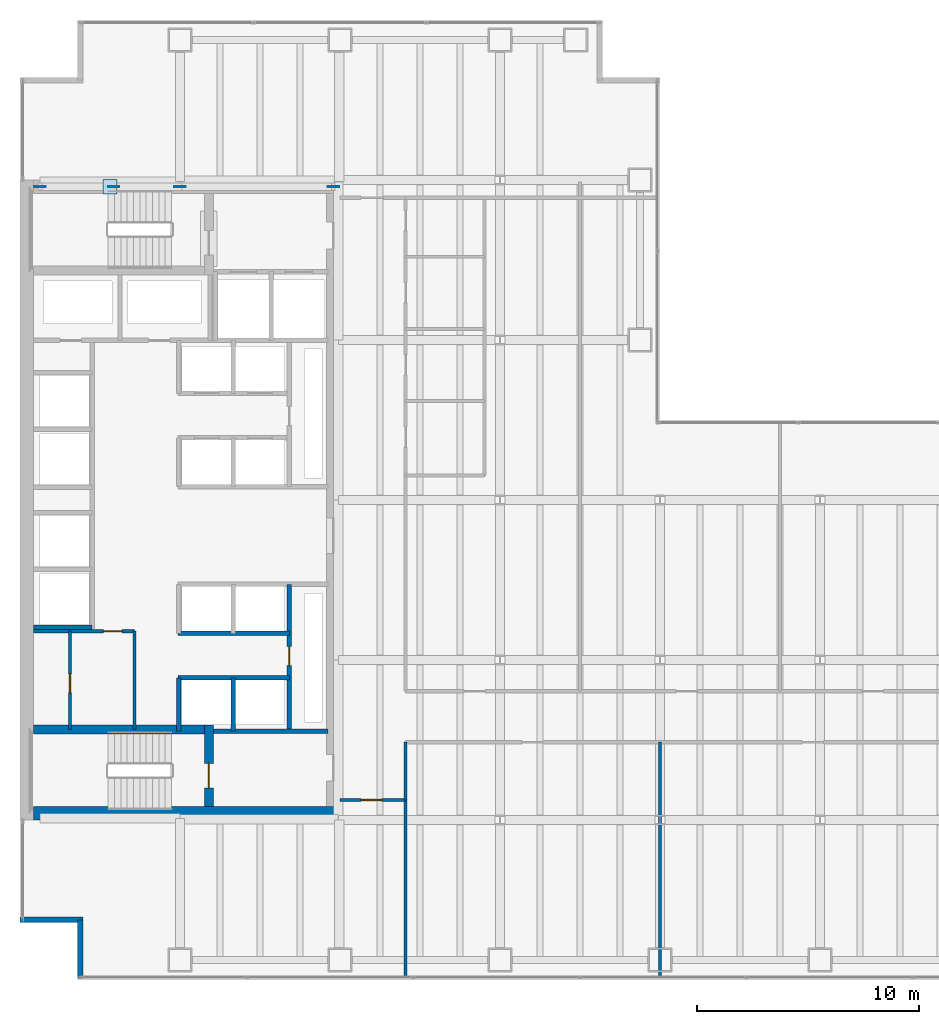
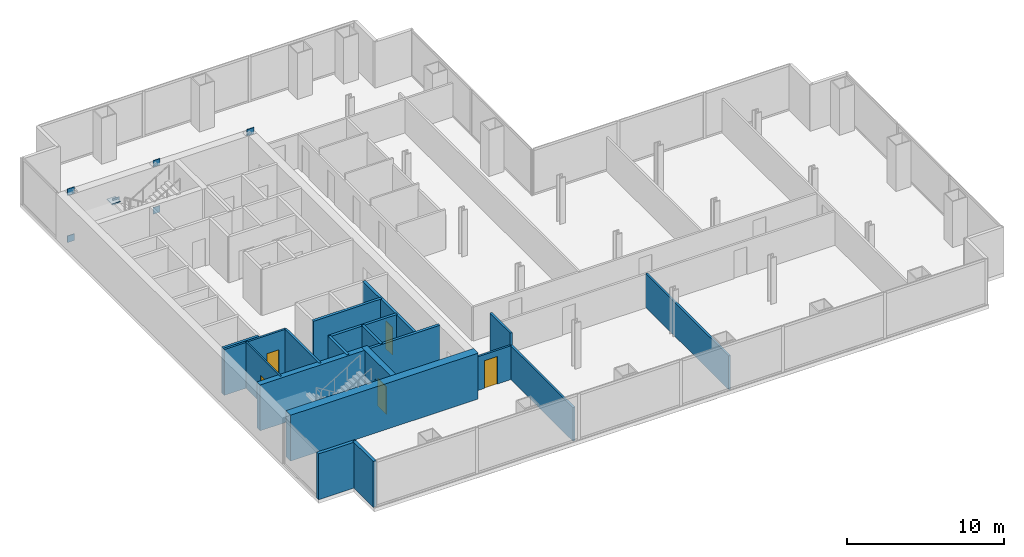
# One storey, part 20 of 23: 19 walls, 7 plates, 5 doors, 5 openings.
"""IFC4 building model written with IfcOpenShell, lengths in metres."""

import ifcopenshell
import ifcopenshell.guid

model = None  # the IFC model being written
_history = None  # IfcOwnerHistory: only IFC2X3 demands one
_inside = {}  # id of a spatial element -> (the spatial element, [elements in it])
_under = {}  # id of a project, library or spatial element -> (it, [spatial elements below it])
_declared = {}  # id of a project -> (the project, [libraries it declares])
_typed = {}  # id of a type object -> (the type object, [elements of that type])
_made_of = {}  # id of a material, layer set ... -> (it, [elements and type objects made of it])


def new_model(schema):
    """Start an empty IFC model of exactly this schema.

    Asked for "IFC4X3", IfcOpenShell would pick the latest addendum, in which some entities
    have other attributes; the version numbers below select the first issue.
    IFC2X3 requires an IfcOwnerHistory on every rooted entity: one is made here for all.
    """
    global model, _history
    if schema == "IFC4X3":
        model = ifcopenshell.file(schema_version=(4, 3, 0, 0))
    else:
        model = ifcopenshell.file(schema=schema)
    _inside.clear()
    _under.clear()
    _declared.clear()
    _typed.clear()
    _made_of.clear()
    _history = None
    if model.schema == "IFC2X3":
        org = make("IfcOrganization", Name="unknown")
        user = make(
            "IfcPersonAndOrganization",
            ThePerson=make("IfcPerson", FamilyName="unknown"),
            TheOrganization=org,
        )
        app = make(
            "IfcApplication",
            ApplicationDeveloper=org,
            Version="unknown",
            ApplicationFullName="unknown",
            ApplicationIdentifier="unknown",
        )
        _history = make(
            "IfcOwnerHistory",
            OwningUser=user,
            OwningApplication=app,
            ChangeAction="ADDED",
            CreationDate=0,
        )
    return model


def make(cls, **values):
    """One entity of the class cls with the attributes given. An attribute that is None is left unset."""
    return model.create_entity(
        cls, **{name: value for name, value in values.items() if value is not None}
    )


def rooted(cls, **values):
    """An entity with a GlobalId (a new one), such as an element, a storey or a relation."""
    return make(cls, GlobalId=ifcopenshell.guid.new(), OwnerHistory=_history, **values)


def si_unit(unit_type, name, prefix=None):
    """IfcSIUnit, for example si_unit("LENGTHUNIT", "METRE", prefix="MILLI")."""
    return make("IfcSIUnit", UnitType=unit_type, Prefix=prefix, Name=name)


def assignment(units):
    """IfcUnitAssignment: the units of a project."""
    return None if units is None else make("IfcUnitAssignment", Units=units)


def point(xyz):
    """IfcCartesianPoint."""
    return None if xyz is None else make("IfcCartesianPoint", Coordinates=xyz)


def direction(xyz):
    """IfcDirection."""
    return None if xyz is None else make("IfcDirection", DirectionRatios=xyz)


def frame(location, z_axis=None, x_axis=None):
    """IfcAxis2Placement3D, a coordinate frame: its origin and axes. An axis left out is left unset."""
    return make(
        "IfcAxis2Placement3D",
        Location=point(location),
        Axis=direction(z_axis),
        RefDirection=direction(x_axis),
    )


def frame_2d(location, x_axis=None):
    """IfcAxis2Placement2D, a coordinate frame in the plane: its origin and x axis."""
    return make(
        "IfcAxis2Placement2D", Location=point(location), RefDirection=direction(x_axis)
    )


def origin():
    """The frame at (0, 0, 0) with its axes left unset."""
    return frame((0.0, 0.0, 0.0))


def origin_2d():
    """The frame at (0, 0) in the plane with its x axis left unset."""
    return frame_2d((0.0, 0.0))


def place(relative_to, where):
    """IfcLocalPlacement: puts the frame where relative to a parent placement (None: the world)."""
    return make(
        "IfcLocalPlacement", PlacementRelTo=relative_to, RelativePlacement=where
    )


def context(
    kind, dimensions, precision=None, world=None, true_north=None, identifier=None
):
    """IfcGeometricRepresentationContext, for example the 3D "Model" context."""
    return make(
        "IfcGeometricRepresentationContext",
        ContextIdentifier=identifier,
        ContextType=kind,
        CoordinateSpaceDimension=dimensions,
        Precision=precision,
        WorldCoordinateSystem=world,
        TrueNorth=true_north,
    )


def subcontext(parent, identifier, kind, view, scale=None):
    """IfcGeometricRepresentationSubContext, for example "Body" below "Model"."""
    return make(
        "IfcGeometricRepresentationSubContext",
        ContextIdentifier=identifier,
        ContextType=kind,
        ParentContext=parent,
        TargetScale=scale,
        TargetView=view,
    )


def project(units=None, contexts=None):
    """IfcProject with its units and contexts."""
    return rooted(
        "IfcProject",
        Name="project",
        RepresentationContexts=contexts,
        UnitsInContext=assignment(units),
    )


def spatial(cls, under=None, at=None, **own):
    """A site, building, storey or space (cls), placed at a placement, below another one or the project."""
    s = rooted(cls, ObjectPlacement=at, **own)
    if under is not None:
        _under.setdefault(under.id(), (under, []))[1].append(s)
    return s


def profile(cls, at=None, kind="AREA", **sizes):
    """A parametric profile (cls). Its sizes go by their IFC names, for example OverallWidth=200.0."""
    return make(cls, ProfileType=kind, Position=at, **sizes)


def rectangle(**sizes):
    """IfcRectangleProfileDef."""
    return profile("IfcRectangleProfileDef", **sizes)


def extrude(swept, where, along, depth):
    """IfcExtrudedAreaSolid: the profile swept, set in the frame where, extruded along a direction by depth."""
    return make(
        "IfcExtrudedAreaSolid",
        SweptArea=swept,
        Position=where,
        ExtrudedDirection=direction(along),
        Depth=depth,
    )


def shape(context_of_items, identifier, shape_type, items):
    """IfcShapeRepresentation: the items that make up one representation, for example the "Body"."""
    return make(
        "IfcShapeRepresentation",
        ContextOfItems=context_of_items,
        RepresentationIdentifier=identifier,
        RepresentationType=shape_type,
        Items=items,
    )


def material(Name=None, Category=None):
    """IfcMaterial."""
    return make("IfcMaterial", Name=Name, Category=Category)


def layer(
    of_material, thickness, ventilated=None, Name=None, Category=None, Priority=None
):
    """IfcMaterialLayer: one layer of a wall or slab, of a material (None: an air gap)."""
    return make(
        "IfcMaterialLayer",
        Material=of_material,
        LayerThickness=thickness,
        IsVentilated=ventilated,
        Name=Name,
        Category=Category,
        Priority=Priority,
    )


def layer_set(layers, Name=None):
    """IfcMaterialLayerSet."""
    return make("IfcMaterialLayerSet", MaterialLayers=layers, LayerSetName=Name)


def made_of(thing, what):
    """Note that an element or type object is made of a material, layer set ...; save() writes the relation."""
    if what is not None:
        _made_of.setdefault(what.id(), (what, []))[1].append(thing)
    return thing


def type_object(cls, material=None, **own):
    """A type object (cls), such as IfcWallType, which elements share."""
    return made_of(rooted(cls, **own), material)


def element(
    cls,
    number,
    at=None,
    inside=None,
    cuts=None,
    type_object=None,
    material=None,
    context=None,
    identifier="Body",
    shape_type=None,
    held_by="IfcProductDefinitionShape",
    body=None,
    shapes=None,
    **own,
):
    """One element of the class cls, such as IfcWall. Its Tag is "e" and its number.

    at: its placement. inside: the storey or other place that contains it. cuts: it is an
    opening in that element (IfcRelVoidsElement). A single representation is given by context,
    identifier, shape_type and body (its items); several are given by shapes. held_by: the class
    of the entity that holds the representations. save() writes the other relations.
    """
    e = rooted(cls, Tag="e%d" % number, ObjectPlacement=at, **own)
    if body is not None:
        shapes = [shape(context, identifier, shape_type, body)]
    if shapes is not None:
        e.Representation = make(held_by, Representations=shapes)
    if inside is not None:
        _inside.setdefault(inside.id(), (inside, []))[1].append(e)
    if cuts is not None:
        rooted(
            "IfcRelVoidsElement", RelatingBuildingElement=cuts, RelatedOpeningElement=e
        )
    if type_object is not None:
        _typed.setdefault(type_object.id(), (type_object, []))[1].append(e)
    return made_of(e, material)


def fill(opening, filler):
    """IfcRelFillsElement: the door or window that sits in an opening."""
    return rooted(
        "IfcRelFillsElement",
        RelatingOpeningElement=opening,
        RelatedBuildingElement=filler,
    )


def aggregate(whole, parts):
    """IfcRelAggregates: a whole, such as a stair, and the parts it consists of."""
    return rooted("IfcRelAggregates", RelatingObject=whole, RelatedObjects=parts)


def save(model, path):
    """Write the relations noted so far, then the file.

    IfcRelAggregates (storeys below a building ...), IfcRelContainedInSpatialStructure (elements
    in a storey), IfcRelDefinesByType, IfcRelAssociatesMaterial and IfcRelDeclares: one each for
    every whole, place, type object, material and project.
    """
    for whole, parts in _under.values():
        aggregate(whole, parts)
    for where, things in _inside.values():
        rooted(
            "IfcRelContainedInSpatialStructure",
            RelatedElements=things,
            RelatingStructure=where,
        )
    for kind, things in _typed.values():
        rooted("IfcRelDefinesByType", RelatedObjects=things, RelatingType=kind)
    for what, things in _made_of.values():
        rooted("IfcRelAssociatesMaterial", RelatedObjects=things, RelatingMaterial=what)
    for by, libraries in _declared.values():
        rooted("IfcRelDeclares", RelatingContext=by, RelatedDefinitions=libraries)
    model.write(path)


model = new_model("IFC4")

# Units and contexts
model_context = context("Model", 3, precision=1e-05, world=origin(), true_north=direction((0.0, 1.0)))
body_context = subcontext(model_context, "Body", "Model", "MODEL_VIEW")
ifc_project = project(units=[si_unit("LENGTHUNIT", "METRE"), si_unit("AREAUNIT", "SQUARE_METRE"), si_unit("VOLUMEUNIT", "CUBIC_METRE"), si_unit("PLANEANGLEUNIT", "RADIAN"), si_unit("MASSUNIT", "GRAM", prefix="KILO")], contexts=[model_context])

# Site, building, storey
site_placement = place(None, origin())
site = spatial("IfcSite", under=ifc_project, at=site_placement, CompositionType="ELEMENT")
building_placement = place(site_placement, origin())
building = spatial("IfcBuilding", under=site, at=building_placement, Name="Cobrela Telecom Tower", CompositionType="ELEMENT")
storey_placement = place(building_placement, frame((0.0, 0.0, 38.85009765625)))
storey = spatial("IfcBuildingStorey", under=building, at=storey_placement, Name="L09", CompositionType="ELEMENT", Elevation=38.85009765625)

# Plates
ifc_material_1 = material(Name="Steel ASTM A572 Grade 50", Category="steel")
ifc_layer_1 = layer(ifc_material_1, 0.0419921875)
ifc_layer_set_1 = layer_set([ifc_layer_1], Name="Steel ASTM A572 Grade 50")
plate_type = type_object("IfcPlateType", Name="PLT-NODE-ND1", PredefinedType="USERDEFINED", material=ifc_layer_set_1)
for number, where, z_axis, x_axis, name in (
    (1, (0.89990234375, 35.699951171875, -0.294921875), (0.0, 0.0, 1.0), (1.0, 0.0, 0.0), "Steel node plate PLT-MBR-EXO-L09-N1-A-0"),
    (2, (7.199951171875, 35.699951171875, 3.35498046875), (0.0, 0.0, 1.0), (1.0, 0.0, 0.0), "Steel node plate PLT-MBR-EXO-L09-N1-A-1"),
    (3, (7.199951171875, 35.699951171875, -0.294921875), (0.0, 0.0, 1.0), (-1.0, 0.0, 0.0), "Steel node plate PLT-MBR-EXO-L09-N1-B1-0"),
    (4, (4.219482421875, 35.699951171875, 1.431640625), (0.0, 0.0, 1.0), (-1.0, 0.0, 0.0), "Steel node plate PLT-MBR-EXO-L09-N1-B1-1"),
    (5, (0.89990234375, 35.699951171875, 3.35498046875), (0.0, 0.0, 1.0), (-1.0, 0.0, 0.0), "Steel node plate PLT-MBR-EXO-L09-N1-B2-1"),
):
    element("IfcPlate", number, at=place(storey_placement, frame(where, z_axis=z_axis, x_axis=x_axis)), inside=storey, type_object=plate_type, Name=name, ObjectType="GUSSET PLATE", PredefinedType="USERDEFINED", context=body_context, shape_type="SweptSolid", body=[
        extrude(rectangle(XDim=0.510009765625, YDim=0.044921875, at=origin_2d()), origin(), (0.0, 0.0, 1.0), 0.510009765625),
    ])
plate_1_placement = place(storey_placement, frame((4.050048828125, 35.699951171875, 1.762451171875), z_axis=(0.0, 0.0, 1.0), x_axis=(1.0, 0.0, 0.0)))
element("IfcPlate", 6, at=plate_1_placement, inside=storey, type_object=plate_type, Name="L09 Core Flange Steel X-Brace Central X-Crossing Gusset Plate", ObjectType="GUSSET PLATE", PredefinedType="USERDEFINED", context=body_context, shape_type="SweptSolid", body=[
    extrude(rectangle(XDim=0.64990234375, YDim=0.64990234375, at=origin_2d()), origin(), (0.0, 0.0, 1.0), 0.044921875),
])
plate_2_placement = place(storey_placement, frame((14.10009765625, 35.699951171875, 3.35498046875), z_axis=(0.0, 0.0, 1.0), x_axis=(1.0, 0.0, 0.0)))
element("IfcPlate", 7, at=plate_2_placement, inside=storey, type_object=plate_type, Name="Steel node plate PLT-MBR-EXO-L09-N2-1", ObjectType="GUSSET PLATE", PredefinedType="USERDEFINED", context=body_context, shape_type="SweptSolid", body=[
    extrude(rectangle(XDim=0.510009765625, YDim=0.044921875, at=origin_2d()), origin(), (0.0, 0.0, 1.0), 0.510009765625),
])

# Walls
ifc_material_2 = material(Name="Concrete C50/60", Category="concrete")
ifc_layer_2 = layer(ifc_material_2, 0.60009765625)
ifc_layer_set_2 = layer_set([ifc_layer_2], Name="Concrete C50/60")
wall_type_1 = type_object("IfcWallType", Name="WALL-CORE-C50-600", PredefinedType="SHEAR", material=ifc_layer_set_2)
wall_1_placement = place(storey_placement, frame((0.60009765625, 7.5, 0.0), z_axis=(0.0, 0.0, 1.0), x_axis=(1.0, 0.0, 0.0)))
element("IfcWall", 8, at=wall_1_placement, inside=storey, type_object=wall_type_1, Name="L09 South Core Shear Wall", PredefinedType="SHEAR", context=body_context, shape_type="SweptSolid", body=[
    extrude(rectangle(XDim=13.7998046875, YDim=0.60009765625, at=frame_2d((6.89990234375, 0.0))), origin(), (0.0, 0.0, 1.0), 3.56982421875),
])
ifc_material_3 = material(Name="Concrete C40/50", Category="concrete")
ifc_layer_3 = layer(ifc_material_3, 0.239990234375)
ifc_layer_set_3 = layer_set([ifc_layer_3], Name="Concrete C40/50")
wall_type_2 = type_object("IfcWallType", Name="WALL-EXT-300", PredefinedType="STANDARD", material=ifc_layer_set_3)
wall_2_placement = place(storey_placement, frame((2.7099609375, 0.1201171875, 0.0), z_axis=(0.0, 0.0, 1.0), x_axis=(0.0, 1.0, 0.0)))
element("IfcWall", 9, at=wall_2_placement, inside=storey, type_object=wall_type_2, Name="L09 Insulated Facade Wall 01", PredefinedType="STANDARD", context=body_context, shape_type="SweptSolid", body=[
    extrude(rectangle(XDim=2.58984375, YDim=0.239990234375, at=frame_2d((1.294921875, 0.0))), origin(), (0.0, 0.0, 1.0), 3.56982421875),
])
wall_3_placement = place(storey_placement, frame((2.830078125, 2.7099609375, 0.0), z_axis=(0.0, 0.0, 1.0), x_axis=(-1.0, 0.0, 0.0)))
element("IfcWall", 10, at=wall_3_placement, inside=storey, type_object=wall_type_2, Name="L09 Insulated Facade Wall 02", PredefinedType="STANDARD", context=body_context, shape_type="SweptSolid", body=[
    extrude(rectangle(XDim=2.830078125, YDim=0.239990234375, at=frame_2d((1.4150390625, 0.0))), origin(), (0.0, 0.0, 1.0), 3.56982421875),
])

# Wall, opening, door
ifc_material_4 = material(Name="Fire-Rated Gypsum Plasterboard")
ifc_layer_4 = layer(ifc_material_4, 0.125)
ifc_layer_set_4 = layer_set([ifc_layer_4], Name="Fire-Rated Gypsum Plasterboard")
wall_type_3 = type_object("IfcWallType", Name="WALL-PART-125", PredefinedType="PARTITIONING", material=ifc_layer_set_4)
wall_4_placement = place(storey_placement, frame((2.25, 11.280029296875, 0.0), z_axis=(0.0, 0.0, 1.0), x_axis=(0.0, 1.0, 0.0)))
wall_4 = element("IfcWall", 11, at=wall_4_placement, inside=storey, type_object=wall_type_3, Name="L09 Interior Partition CW-FK0-V", PredefinedType="PARTITIONING", context=body_context, shape_type="SweptSolid", body=[
    extrude(rectangle(XDim=4.419921875, YDim=0.125, at=frame_2d((2.2099609375, 0.0))), origin(), (0.0, 0.0, 1.0), 3.56982421875),
])
opening_1_placement = place(wall_4_placement, frame((1.64990234375, 0.0, 0.0)))
opening_1 = element("IfcOpeningElement", 12, at=opening_1_placement, cuts=wall_4, Name="Opening DR-11", PredefinedType="OPENING", context=body_context, shape_type="SweptSolid", body=[
    extrude(rectangle(XDim=0.85009765625, YDim=2.14990234375, at=frame_2d((0.425048828125, 1.074951171875))), frame((0.0, 0.074462890625, 0.0), z_axis=(0.0, -1.0, 0.0), x_axis=(1.0, 0.0, 0.0)), (0.0, 0.0, 1.0), 0.14892578125),
])
ifc_material_5 = material(Name="Solid Engineered Oak Timber", Category="wood")
door_type_1 = type_object("IfcDoorType", Name="DOOR-INT-850", OperationType="SINGLE_SWING_LEFT", PredefinedType="DOOR", material=ifc_material_5)
door_1_placement = place(opening_1_placement, origin())
door_1 = element("IfcDoor", 13, at=door_1_placement, inside=storey, type_object=door_type_1, Name="L09 Door DR-11", OperationType="SINGLE_SWING_LEFT", OverallHeight=2.14990234375, OverallWidth=0.85009765625, PredefinedType="DOOR", context=body_context, shape_type="SweptSolid", body=[
    extrude(rectangle(XDim=0.85009765625, YDim=2.14990234375, at=frame_2d((0.425048828125, 1.074951171875))), frame((0.0, 0.02490234375, 0.0), z_axis=(0.0, -1.0, 0.0), x_axis=(1.0, 0.0, 0.0)), (0.0, 0.0, 1.0), 0.050048828125),
])
fill(opening_1, door_1)

ifc_layer_5 = layer(ifc_material_4, 0.14990234375)
ifc_layer_set_5 = layer_set([ifc_layer_5], Name="Fire-Rated Gypsum Plasterboard")
wall_type_4 = type_object("IfcWallType", Name="WALL-PART-150", PredefinedType="PARTITIONING", material=ifc_layer_set_5)
wall_5_placement = place(storey_placement, frame((0.60009765625, 15.699951171875, 0.0), z_axis=(0.0, 0.0, 1.0), x_axis=(1.0, 0.0, 0.0)))
wall_5 = element("IfcWall", 14, at=wall_5_placement, inside=storey, type_object=wall_type_4, Name="L09 Interior Partition CW-FLEX-N", PredefinedType="PARTITIONING", context=body_context, shape_type="SweptSolid", body=[
    extrude(rectangle(XDim=4.5498046875, YDim=0.14990234375, at=frame_2d((2.27490234375, 0.0))), origin(), (0.0, 0.0, 1.0), 3.56982421875),
])
opening_2_placement = place(wall_5_placement, frame((3.14990234375, 0.0, 0.0)))
opening_2 = element("IfcOpeningElement", 15, at=opening_2_placement, cuts=wall_5, Name="Opening DR-11", PredefinedType="OPENING", context=body_context, shape_type="SweptSolid", body=[
    extrude(rectangle(XDim=0.85009765625, YDim=2.14990234375, at=frame_2d((0.425048828125, 1.074951171875))), frame((0.0, 0.0869140625, 0.0), z_axis=(0.0, -1.0, 0.0), x_axis=(1.0, 0.0, 0.0)), (0.0, 0.0, 1.0), 0.173828125),
])
door_2_placement = place(opening_2_placement, origin())
door_2 = element("IfcDoor", 16, at=door_2_placement, inside=storey, type_object=door_type_1, Name="L09 Door DR-11", OperationType="SINGLE_SWING_RIGHT", OverallHeight=2.14990234375, OverallWidth=0.85009765625, PredefinedType="DOOR", context=body_context, shape_type="SweptSolid", body=[
    extrude(rectangle(XDim=0.85009765625, YDim=2.14990234375, at=frame_2d((0.425048828125, 1.074951171875))), frame((0.0, 0.02490234375, 0.0), z_axis=(0.0, -1.0, 0.0), x_axis=(1.0, 0.0, 0.0)), (0.0, 0.0, 1.0), 0.050048828125),
])
fill(opening_2, door_2)

# Wall
wall_6_placement = place(storey_placement, frame((5.14990234375, 11.280029296875, 0.0), z_axis=(0.0, 0.0, 1.0), x_axis=(0.0, 1.0, 0.0)))
element("IfcWall", 17, at=wall_6_placement, inside=storey, type_object=wall_type_4, Name="L09 Interior Partition CW-FLEX-E", PredefinedType="PARTITIONING", context=body_context, shape_type="SweptSolid", body=[
    extrude(rectangle(XDim=4.419921875, YDim=0.14990234375, at=frame_2d((2.2099609375, 0.0))), origin(), (0.0, 0.0, 1.0), 3.56982421875),
])

# Wall, opening, door
wall_7_placement = place(storey_placement, frame((14.39990234375, 8.10009765625, 0.0), z_axis=(0.0, 0.0, 1.0), x_axis=(1.0, 0.0, 0.0)))
wall_7 = element("IfcWall", 18, at=wall_7_placement, inside=storey, type_object=wall_type_4, Name="L09 Interior Partition W-C-S0", PredefinedType="PARTITIONING", context=body_context, shape_type="SweptSolid", body=[
    extrude(rectangle(XDim=2.9501953125, YDim=0.14990234375, at=frame_2d((1.47509765625, 0.0))), origin(), (0.0, 0.0, 1.0), 2.6279296875),
])
opening_3_placement = place(wall_7_placement, frame((0.949951171875, 0.0, 0.0)))
opening_3 = element("IfcOpeningElement", 19, at=opening_3_placement, cuts=wall_7, Name="Opening DR-67", PredefinedType="OPENING", context=body_context, shape_type="SweptSolid", body=[
    extrude(rectangle(XDim=0.949951171875, YDim=2.14990234375, at=frame_2d((0.47509765625, 1.074951171875))), frame((0.0, 0.0869140625, 0.0), z_axis=(0.0, -1.0, 0.0), x_axis=(1.0, 0.0, 0.0)), (0.0, 0.0, 1.0), 0.173828125),
])
door_type_2 = type_object("IfcDoorType", Name="DOOR-INT-950", OperationType="SINGLE_SWING_LEFT", PredefinedType="DOOR", material=ifc_material_5)
door_3_placement = place(opening_3_placement, origin())
door_3 = element("IfcDoor", 20, at=door_3_placement, inside=storey, type_object=door_type_2, Name="L09 Door DR-67", OperationType="SINGLE_SWING_RIGHT", OverallHeight=2.14990234375, OverallWidth=0.949951171875, PredefinedType="DOOR", context=body_context, shape_type="SweptSolid", body=[
    extrude(rectangle(XDim=0.949951171875, YDim=2.14990234375, at=frame_2d((0.47509765625, 1.074951171875))), frame((0.0, 0.02490234375, 0.0), z_axis=(0.0, -1.0, 0.0), x_axis=(1.0, 0.0, 0.0)), (0.0, 0.0, 1.0), 0.050048828125),
])
fill(opening_3, door_3)

# Walls
wall_8_placement = place(storey_placement, frame((17.35009765625, 8.10009765625, 0.0), z_axis=(0.0, 0.0, 1.0), x_axis=(0.0, 1.0, 0.0)))
element("IfcWall", 21, at=wall_8_placement, inside=storey, type_object=wall_type_4, Name="L09 Interior Partition W-C-E1", PredefinedType="PARTITIONING", context=body_context, shape_type="SweptSolid", body=[
    extrude(rectangle(XDim=2.599853515625, YDim=0.14990234375, at=frame_2d((1.2998046875, 0.0))), origin(), (0.0, 0.0, 1.0), 3.56982421875),
])
wall_9_placement = place(storey_placement, frame((17.35009765625, 0.1201171875, 0.0), z_axis=(0.0, 0.0, 1.0), x_axis=(0.0, 1.0, 0.0)))
element("IfcWall", 22, at=wall_9_placement, inside=storey, type_object=wall_type_4, Name="L09 Interior Partition W-SW-E", PredefinedType="PARTITIONING", context=body_context, shape_type="SweptSolid", body=[
    extrude(rectangle(XDim=7.97998046875, YDim=0.14990234375, at=frame_2d((3.989990234375, 0.0))), origin(), (0.0, 0.0, 1.0), 2.6279296875),
])
wall_10_placement = place(storey_placement, frame((28.800048828125, 0.1201171875, 0.0), z_axis=(0.0, 0.0, 1.0), x_axis=(0.0, 1.0, 0.0)))
element("IfcWall", 23, at=wall_10_placement, inside=storey, type_object=wall_type_4, Name="L09 Interior Partition W-SV-1", PredefinedType="PARTITIONING", context=body_context, shape_type="SweptSolid", body=[
    extrude(rectangle(XDim=10.579833984375, YDim=0.14990234375, at=frame_2d((5.2900390625, 0.0))), origin(), (0.0, 0.0, 1.0), 2.6279296875),
])
ifc_layer_6 = layer(ifc_material_4, 0.199951171875)
ifc_layer_set_6 = layer_set([ifc_layer_6], Name="Fire-Rated Gypsum Plasterboard")
wall_type_5 = type_object("IfcWallType", Name="WALL-SHAFT-200", PredefinedType="PARTITIONING", material=ifc_layer_set_6)
wall_11_placement = place(storey_placement, frame((8.699951171875, 11.199951171875, 0.0), z_axis=(0.0, 0.0, 1.0), x_axis=(1.0, 0.0, 0.0)))
element("IfcWall", 24, at=wall_11_placement, inside=storey, type_object=wall_type_5, Name="L09 Shaft Enclosure CW-ST2L-N", PredefinedType="PARTITIONING", context=body_context, shape_type="SweptSolid", body=[
    extrude(rectangle(XDim=5.150146484375, YDim=0.199951171875, at=frame_2d((2.5751953125, 0.0))), origin(), (0.0, 0.0, 1.0), 3.56982421875),
])
wall_12_placement = place(storey_placement, frame((0.60009765625, 15.8798828125, 0.0), z_axis=(0.0, 0.0, 1.0), x_axis=(1.0, 0.0, 0.0)))
element("IfcWall", 25, at=wall_12_placement, inside=storey, type_object=wall_type_5, Name="L09 Shaft Enclosure CW-PLH-D9", PredefinedType="PARTITIONING", context=body_context, shape_type="SweptSolid", body=[
    extrude(rectangle(XDim=2.64990234375, YDim=0.199951171875, at=frame_2d((1.324951171875, 0.0))), origin(), (0.0, 0.0, 1.0), 3.56982421875),
])
for number, where, z_axis, x_axis, name in (
    (26, (7.10009765625, 15.60009765625, 0.0), (0.0, 0.0, 1.0), (1.0, 0.0, 0.0), "L09 Shaft Enclosure CW-PLM-N"),
    (27, (7.10009765625, 13.60009765625, 0.0), (0.0, 0.0, 1.0), (1.0, 0.0, 0.0), "L09 Shaft Enclosure CW-PLM-S"),
):
    element("IfcWall", number, at=place(storey_placement, frame(where, z_axis=z_axis, x_axis=x_axis)), inside=storey, type_object=wall_type_5, Name=name, PredefinedType="PARTITIONING", context=body_context, shape_type="SweptSolid", body=[
        extrude(rectangle(XDim=5.02001953125, YDim=0.199951171875, at=frame_2d((2.510009765625, 0.0))), origin(), (0.0, 0.0, 1.0), 3.56982421875),
    ])
for number, where, z_axis, x_axis, name in (
    (28, (7.14990234375, 11.199951171875, 0.0), (0.0, 0.0, 1.0), (0.0, 1.0, 0.0), "L09 Shaft Enclosure CW-PLM-V1B"),
    (29, (9.60009765625, 11.199951171875, 0.0), (0.0, 0.0, 1.0), (0.0, 1.0, 0.0), "L09 Shaft Enclosure CW-PLM-V2B"),
):
    element("IfcWall", number, at=place(storey_placement, frame(where, z_axis=z_axis, x_axis=x_axis)), inside=storey, type_object=wall_type_5, Name=name, PredefinedType="PARTITIONING", context=body_context, shape_type="SweptSolid", body=[
        extrude(rectangle(XDim=2.400146484375, YDim=0.199951171875, at=frame_2d((1.2001953125, 0.0))), origin(), (0.0, 0.0, 1.0), 3.56982421875),
    ])

# Wall, opening, door
wall_13_placement = place(storey_placement, frame((12.1201171875, 11.199951171875, 0.0), z_axis=(0.0, 0.0, 1.0), x_axis=(0.0, 1.0, 0.0)))
wall_13 = element("IfcWall", 30, at=wall_13_placement, inside=storey, type_object=wall_type_5, Name="L09 Shaft Enclosure CW-PLM-V3", PredefinedType="PARTITIONING", context=body_context, shape_type="SweptSolid", body=[
    extrude(rectangle(XDim=6.60009765625, YDim=0.199951171875, at=frame_2d((3.300048828125, 0.0))), origin(), (0.0, 0.0, 1.0), 3.56982421875),
])
opening_4_placement = place(wall_13_placement, frame((2.949951171875, 0.0, 0.0)))
opening_4 = element("IfcOpeningElement", 31, at=opening_4_placement, cuts=wall_13, Name="Opening DR-11", PredefinedType="OPENING", context=body_context, shape_type="SweptSolid", body=[
    extrude(rectangle(XDim=0.85009765625, YDim=2.14990234375, at=frame_2d((0.425048828125, 1.074951171875))), frame((0.0, 0.11181640625, 0.0), z_axis=(0.0, -1.0, 0.0), x_axis=(1.0, 0.0, 0.0)), (0.0, 0.0, 1.0), 0.223876953125),
])
door_4_placement = place(opening_4_placement, origin())
door_4 = element("IfcDoor", 32, at=door_4_placement, inside=storey, type_object=door_type_1, Name="L09 Door DR-11", OperationType="SINGLE_SWING_RIGHT", OverallHeight=2.14990234375, OverallWidth=0.85009765625, PredefinedType="DOOR", context=body_context, shape_type="SweptSolid", body=[
    extrude(rectangle(XDim=0.85009765625, YDim=2.14990234375, at=frame_2d((0.425048828125, 1.074951171875))), frame((0.0, 0.02490234375, 0.0), z_axis=(0.0, -1.0, 0.0), x_axis=(1.0, 0.0, 0.0)), (0.0, 0.0, 1.0), 0.050048828125),
])
fill(opening_4, door_4)

# Wall
ifc_layer_7 = layer(ifc_material_3, 0.39990234375)
ifc_layer_set_7 = layer_set([ifc_layer_7], Name="Concrete C40/50")
wall_type_6 = type_object("IfcWallType", Name="WALL-SHAFT-C40-400", PredefinedType="SHEAR", material=ifc_layer_set_7)
wall_14_placement = place(storey_placement, frame((0.60009765625, 11.280029296875, 0.0), z_axis=(0.0, 0.0, 1.0), x_axis=(1.0, 0.0, 0.0)))
element("IfcWall", 33, at=wall_14_placement, inside=storey, type_object=wall_type_6, Name="L09 South Stair Shear Wall", PredefinedType="SHEAR", context=body_context, shape_type="SweptSolid", body=[
    extrude(rectangle(XDim=7.699951171875, YDim=0.39990234375, at=frame_2d((3.85009765625, 0.0))), origin(), (0.0, 0.0, 1.0), 3.56982421875),
])

# Wall, opening, door
wall_15_placement = place(storey_placement, frame((8.5, 7.800048828125, 0.0), z_axis=(0.0, 0.0, 1.0), x_axis=(0.0, 1.0, 0.0)))
wall_15 = element("IfcWall", 34, at=wall_15_placement, inside=storey, type_object=wall_type_6, Name="L09 South Stair Lobby Shear Wall", PredefinedType="SHEAR", context=body_context, shape_type="SweptSolid", body=[
    extrude(rectangle(XDim=3.679931640625, YDim=0.39990234375, at=frame_2d((1.83984375, 0.0))), origin(), (0.0, 0.0, 1.0), 3.56982421875),
])
opening_5_placement = place(wall_15_placement, frame((0.85009765625, 0.0, 0.0)))
opening_5 = element("IfcOpeningElement", 35, at=opening_5_placement, cuts=wall_15, Name="Opening FD-90", PredefinedType="OPENING", context=body_context, shape_type="SweptSolid", body=[
    extrude(rectangle(XDim=1.10009765625, YDim=2.14990234375, at=frame_2d((0.550048828125, 1.074951171875))), frame((0.0, 0.2119140625, 0.0), z_axis=(0.0, -1.0, 0.0), x_axis=(1.0, 0.0, 0.0)), (0.0, 0.0, 1.0), 0.423828125),
])
ifc_material_6 = material(Name="Steel ASTM A36", Category="steel")
door_type_3 = type_object("IfcDoorType", Name="DOOR-FD90-1100", OperationType="SINGLE_SWING_LEFT", PredefinedType="DOOR", material=ifc_material_6)
door_5_placement = place(opening_5_placement, origin())
door_5 = element("IfcDoor", 36, at=door_5_placement, inside=storey, type_object=door_type_3, Name="L09 Door FD-90", OperationType="SINGLE_SWING_LEFT", OverallHeight=2.14990234375, OverallWidth=1.10009765625, PredefinedType="DOOR", context=body_context, shape_type="SweptSolid", body=[
    extrude(rectangle(XDim=1.10009765625, YDim=2.14990234375, at=frame_2d((0.550048828125, 1.074951171875))), frame((0.0, 0.02490234375, 0.0), z_axis=(0.0, -1.0, 0.0), x_axis=(1.0, 0.0, 0.0)), (0.0, 0.0, 1.0), 0.050048828125),
])
fill(opening_5, door_5)

save(model, "model.ifc")
